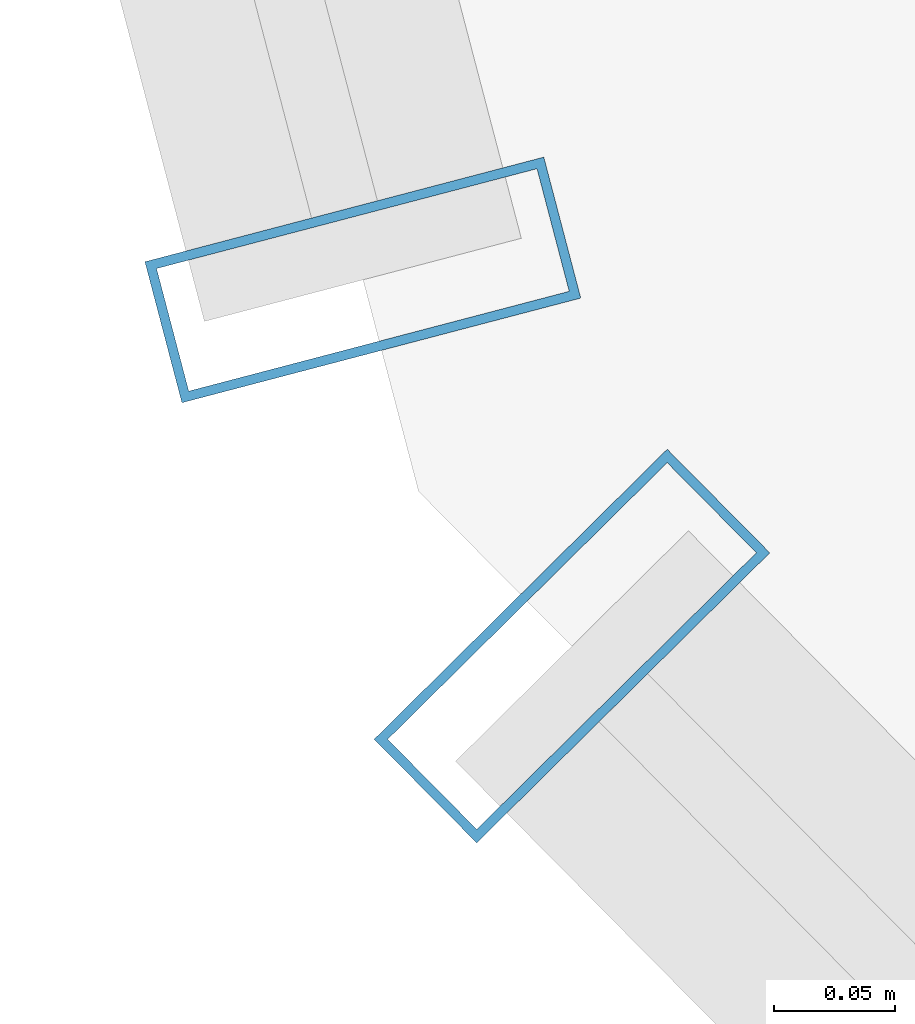
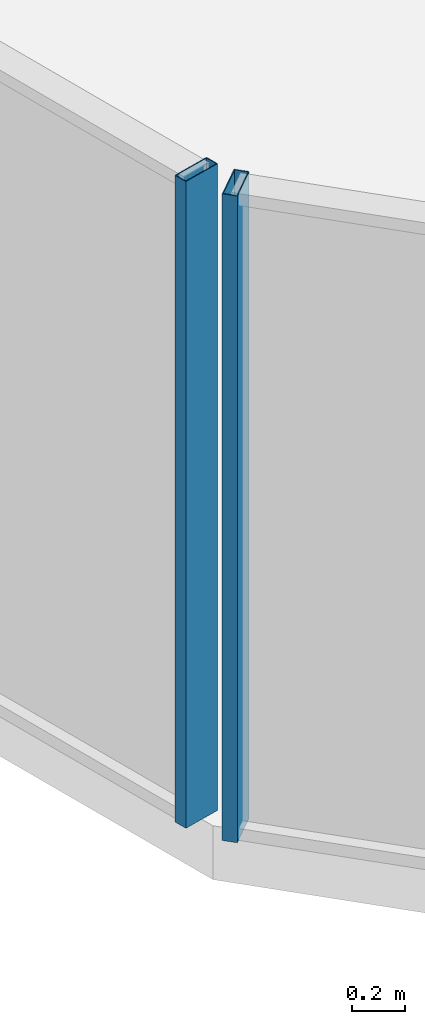
# One storey, part 5 of 39: 2 members, 2 elements without a shape of their own.
"""IFC4 building model written with IfcOpenShell, lengths in metres."""

from ifc_helpers import new_model, si_unit, direction, frame, origin, origin_2d, place, context, subcontext, project, spatial, hollow_rectangle, extrude, source, transform, mapped, material, layer, layer_set, material_profile, profile_set, type_object, element, aggregate, save


model = new_model("IFC4")

# Units and contexts
model_context = context("Model", 3, precision=1e-05, world=origin(), true_north=direction((0.0, 1.0)))
body_context = subcontext(model_context, "Body", "Model", "MODEL_VIEW")
ifc_project = project(units=[si_unit("LENGTHUNIT", "METRE"), si_unit("AREAUNIT", "SQUARE_METRE"), si_unit("VOLUMEUNIT", "CUBIC_METRE"), si_unit("PLANEANGLEUNIT", "RADIAN"), si_unit("MASSUNIT", "GRAM", prefix="KILO")], contexts=[model_context])

# Site, building, storey
site_placement = place(None, origin())
site = spatial("IfcSite", under=ifc_project, at=site_placement, CompositionType="ELEMENT")
building_placement = place(site_placement, origin())
building = spatial("IfcBuilding", under=site, at=building_placement, Name="Veraguas Prism Commons", CompositionType="ELEMENT")
storey_placement = place(building_placement, frame((0.0, 0.0, 73.85009765625)))
storey = spatial("IfcBuildingStorey", under=building, at=storey_placement, Name="L20", CompositionType="ELEMENT", Elevation=73.85009765625)

# Curtain wall, member
ifc_material = material(Name="Anodised aluminium EN AW-6063 T6", Category="aluminium")
ifc_layer = layer(ifc_material, 0.169921875, Name="Unitised Flush Curtain Wall Zone 1", Category="aluminium")
ifc_layer_set = layer_set([ifc_layer], Name="Anodised aluminium EN AW-6063 T6")
curtain_wall_type = type_object("IfcCurtainWallType", Name="Unitised Flush Curtain Wall Zone 1", PredefinedType="NOTDEFINED", material=ifc_layer_set)
curtain_wall_1_placement = place(storey_placement, origin())
curtain_wall_1 = element("IfcCurtainWall", 1, at=curtain_wall_1_placement, inside=storey, type_object=curtain_wall_type, Name="Tower Facade Curtain Wall L20-F4", PredefinedType="NOTDEFINED")
ifc_material_profile = material_profile(ifc_material, hollow_rectangle(XDim=0.06005859375, YDim=0.169921875, WallThickness=0.00390625, at=origin_2d()), Name="AL60X170X4")
ifc_profile_set = profile_set([ifc_material_profile], Name="Anodised aluminium EN AW-6063 T6")
member_type = type_object("IfcMemberType", Name="Curtain Wall Mullion Lower AL 60x170x4", PredefinedType="MULLION", material=ifc_profile_set)
shared_shape = source(origin(), body_context, "Body", "SweptSolid", [
    extrude(hollow_rectangle(XDim=0.06005859375, YDim=0.169921875, WallThickness=0.00390625, at=origin_2d()), origin(), (0.0, 0.0, 1.0), 3.0),
])
member_1_placement = place(storey_placement, frame((2.67626953125, 15.999267578125, 0.0), z_axis=(0.0, 0.0, 1.0), x_axis=(0.70339346223, -0.710800701527, 0.0)))
member_1 = element("IfcMember", 2, at=member_1_placement, type_object=member_type, Name="CW-Z1 Mullion 1", PredefinedType="MULLION", context=body_context, shape_type="MappedRepresentation", body=[
    mapped(shared_shape, transform((0.0, 0.0, 0.0), scale=1.0)),
])
aggregate(curtain_wall_1, [member_1])

curtain_wall_2_placement = place(storey_placement, origin())
curtain_wall_2 = element("IfcCurtainWall", 3, at=curtain_wall_2_placement, inside=storey, type_object=curtain_wall_type, Name="Chamfer Curtain Wall L20-C4", PredefinedType="NOTDEFINED")
member_2_placement = place(storey_placement, frame((2.590087890625, 16.150146484375, 0.0), z_axis=(0.0, 0.0, 1.0), x_axis=(0.253763009183, -0.967266424089, 0.0)))
member_2 = element("IfcMember", 4, at=member_2_placement, type_object=member_type, Name="CW-Z1 Mullion 2", PredefinedType="MULLION", context=body_context, shape_type="MappedRepresentation", body=[
    mapped(shared_shape, transform((0.0, 0.0, 0.0), scale=1.0)),
])
aggregate(curtain_wall_2, [member_2])

save(model, "model.ifc")
